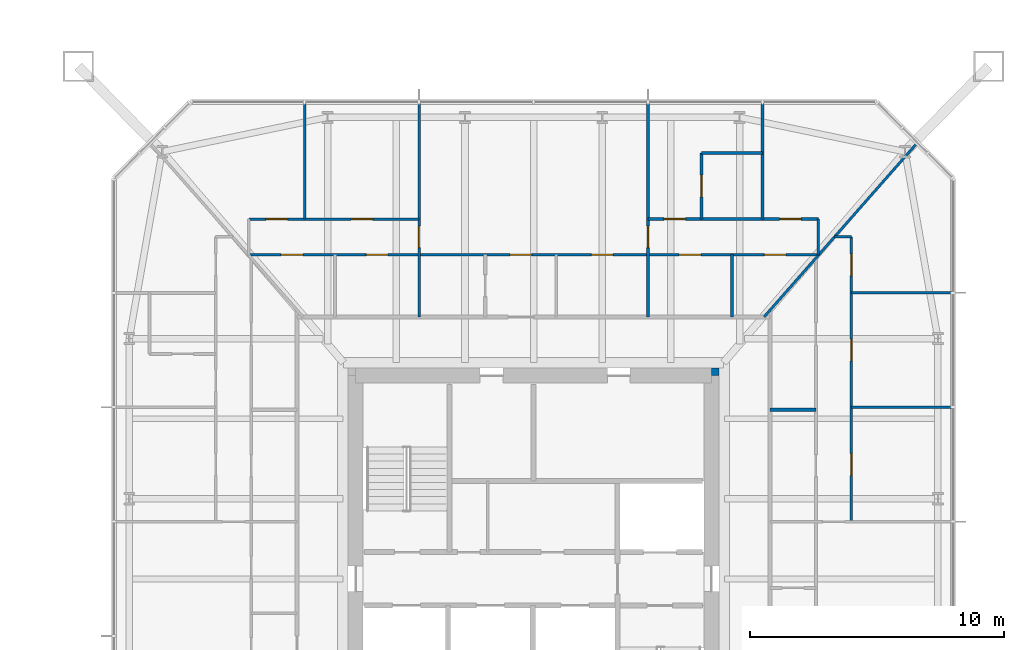
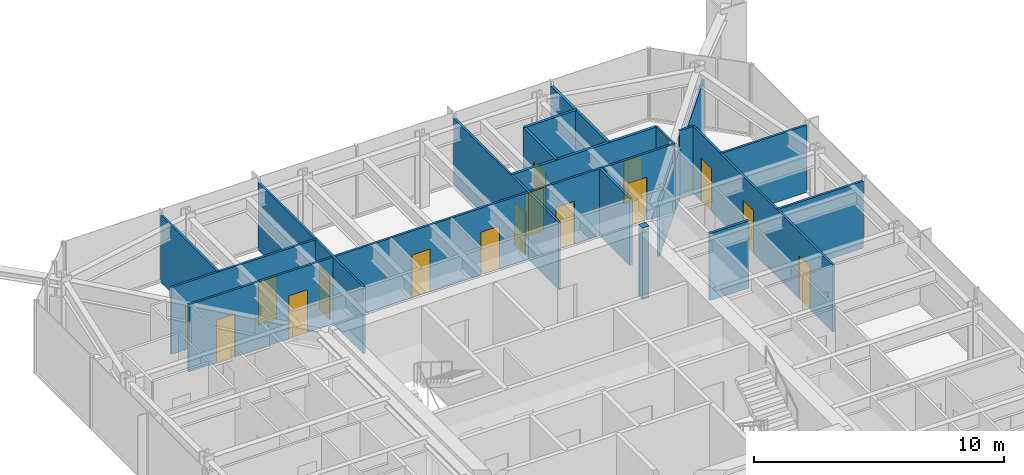
# One storey, part 21 of 26: 19 walls, 16 doors, 16 openings.
"""IFC4 building model written with IfcOpenShell, lengths in metres."""

from ifc_helpers import new_model, si_unit, direction, frame, frame_2d, origin, place, context, subcontext, project, spatial, rectangle, extrude, material, layer, layer_set, type_object, element, fill, save


model = new_model("IFC4")

# Units and contexts
model_context = context("Model", 3, precision=1e-05, world=origin(), true_north=direction((0.0, 1.0)))
body_context = subcontext(model_context, "Body", "Model", "MODEL_VIEW")
ifc_project = project(units=[si_unit("LENGTHUNIT", "METRE"), si_unit("AREAUNIT", "SQUARE_METRE"), si_unit("VOLUMEUNIT", "CUBIC_METRE"), si_unit("PLANEANGLEUNIT", "RADIAN"), si_unit("MASSUNIT", "GRAM", prefix="KILO")], contexts=[model_context])

# Site, building, storey
site_placement = place(None, origin())
site = spatial("IfcSite", under=ifc_project, at=site_placement, CompositionType="ELEMENT")
building_placement = place(site_placement, origin())
building = spatial("IfcBuilding", under=site, at=building_placement, Name="Iwan Alto Co-Living Towers", CompositionType="ELEMENT")
storey_placement = place(building_placement, frame((0.0, 0.0, 22.0)))
storey = spatial("IfcBuildingStorey", under=building, at=storey_placement, Name="L05", CompositionType="ELEMENT", Elevation=22.0)

# Walls
ifc_material_1 = material(Name="Gypsum board")
ifc_layer_1 = layer(ifc_material_1, 0.012451171875, Name="Board", Category="Finish")
ifc_material_2 = material(Name="Steel ASTM A1003 ST33H cold-formed studs", Category="steel")
ifc_layer_2 = layer(ifc_material_2, 0.074951171875, Name="Studs", Category="Framing")
ifc_layer_3 = layer(ifc_material_1, 0.012451171875, Name="Board", Category="Finish")
ifc_layer_set_1 = layer_set([ifc_layer_1, ifc_layer_2, ifc_layer_3], Name="PARTITION 100")
wall_type_1 = type_object("IfcWallType", Name="PARTITION 100", PredefinedType="PARTITIONING", material=ifc_layer_set_1)
for number, where, z_axis, x_axis, name in (
    (1, (75.5, 6.75, 0.0), (0.0, 0.0, 1.0), (1.0, 0.0, 0.0), "Partition L05"),
    (2, (75.5, 11.25, 0.0), (0.0, 0.0, 1.0), (1.0, 0.0, 0.0), "Partition L05"),
):
    element("IfcWall", number, at=place(storey_placement, frame(where, z_axis=z_axis, x_axis=x_axis)), inside=storey, type_object=wall_type_1, Name=name, PredefinedType="PARTITIONING", context=body_context, shape_type="SweptSolid", body=[
        extrude(rectangle(XDim=3.93994140625, YDim=0.10009765625, at=frame_2d((1.969970703125, 0.0))), origin(), (0.0, 0.0, 1.0), 3.27001953125),
    ])

# Wall, openings, doors
wall_1_placement = place(storey_placement, frame((51.800048828125, 12.75, 0.0), z_axis=(0.0, 0.0, 1.0), x_axis=(1.0, 0.0, 0.0)))
wall_1 = element("IfcWall", 3, at=wall_1_placement, inside=storey, type_object=wall_type_1, Name="Partition L05", PredefinedType="PARTITIONING", context=body_context, shape_type="SweptSolid", body=[
    extrude(rectangle(XDim=22.39990234375, YDim=0.10009765625, at=frame_2d((11.199951171875, 0.0))), origin(), (0.0, 0.0, 1.0), 3.27001953125),
])
opening_1_placement = place(wall_1_placement, frame((13.47509765625, 0.0, 0.0)))
opening_1 = element("IfcOpeningElement", 4, at=opening_1_placement, cuts=wall_1, Name="Opening D2", PredefinedType="OPENING", context=body_context, shape_type="SweptSolid", body=[
    extrude(rectangle(XDim=0.85009765625, YDim=2.10009765625, at=frame_2d((0.425048828125, 1.050048828125))), frame((0.0, 0.06005859375, 0.0), z_axis=(0.0, -1.0, 0.0), x_axis=(1.0, 0.0, 0.0)), (0.0, 0.0, 1.0), 0.1201171875),
])
opening_2_placement = place(wall_1_placement, frame((10.27490234375, 0.0, 0.0)))
opening_2 = element("IfcOpeningElement", 5, at=opening_2_placement, cuts=wall_1, Name="Opening D2", PredefinedType="OPENING", context=body_context, shape_type="SweptSolid", body=[
    extrude(rectangle(XDim=0.85009765625, YDim=2.10009765625, at=frame_2d((0.425048828125, 1.050048828125))), frame((0.0, 0.06005859375, 0.0), z_axis=(0.0, -1.0, 0.0), x_axis=(1.0, 0.0, 0.0)), (0.0, 0.0, 1.0), 0.1201171875),
])
opening_3_placement = place(wall_1_placement, frame((16.925048828125, 0.0, 0.0)))
opening_3 = element("IfcOpeningElement", 6, at=opening_3_placement, cuts=wall_1, Name="Opening D2", PredefinedType="OPENING", context=body_context, shape_type="SweptSolid", body=[
    extrude(rectangle(XDim=0.85009765625, YDim=2.10009765625, at=frame_2d((0.425048828125, 1.050048828125))), frame((0.0, 0.06005859375, 0.0), z_axis=(0.0, -1.0, 0.0), x_axis=(1.0, 0.0, 0.0)), (0.0, 0.0, 1.0), 0.1201171875),
])
opening_4_placement = place(wall_1_placement, frame((20.27490234375, 0.0, 0.0)))
opening_4 = element("IfcOpeningElement", 7, at=opening_4_placement, cuts=wall_1, Name="Opening D2", PredefinedType="OPENING", context=body_context, shape_type="SweptSolid", body=[
    extrude(rectangle(XDim=0.85009765625, YDim=2.10009765625, at=frame_2d((0.425048828125, 1.050048828125))), frame((0.0, 0.06005859375, 0.0), z_axis=(0.0, -1.0, 0.0), x_axis=(1.0, 0.0, 0.0)), (0.0, 0.0, 1.0), 0.1201171875),
])
opening_5_placement = place(wall_1_placement, frame((4.625, 0.0, 0.0)))
opening_5 = element("IfcOpeningElement", 8, at=opening_5_placement, cuts=wall_1, Name="Opening D2", PredefinedType="OPENING", context=body_context, shape_type="SweptSolid", body=[
    extrude(rectangle(XDim=0.85009765625, YDim=2.10009765625, at=frame_2d((0.425048828125, 1.050048828125))), frame((0.0, 0.06005859375, 0.0), z_axis=(0.0, -1.0, 0.0), x_axis=(1.0, 0.0, 0.0)), (0.0, 0.0, 1.0), 0.1201171875),
])
opening_6_placement = place(wall_1_placement, frame((1.27490234375, 0.0, 0.0)))
opening_6 = element("IfcOpeningElement", 9, at=opening_6_placement, cuts=wall_1, Name="Opening D2", PredefinedType="OPENING", context=body_context, shape_type="SweptSolid", body=[
    extrude(rectangle(XDim=0.85009765625, YDim=2.10009765625, at=frame_2d((0.425048828125, 1.050048828125))), frame((0.0, 0.06005859375, 0.0), z_axis=(0.0, -1.0, 0.0), x_axis=(1.0, 0.0, 0.0)), (0.0, 0.0, 1.0), 0.1201171875),
])
ifc_material_3 = material(Name="Timber leaf in steel frame", Category="steel")
door_type = type_object("IfcDoorType", Name="ROOM DOOR 850X2100", OperationType="SINGLE_SWING_LEFT", PredefinedType="DOOR", material=ifc_material_3)
door_1_placement = place(opening_1_placement, origin())
door_1 = element("IfcDoor", 10, at=door_1_placement, inside=storey, type_object=door_type, Name="Kitchen door L05", OperationType="SINGLE_SWING_RIGHT", OverallHeight=2.10009765625, OverallWidth=0.85009765625, PredefinedType="DOOR", context=body_context, shape_type="SweptSolid", body=[
    extrude(rectangle(XDim=0.85009765625, YDim=2.10009765625, at=frame_2d((0.425048828125, 1.050048828125))), frame((0.0, 0.02490234375, 0.0), z_axis=(0.0, -1.0, 0.0), x_axis=(1.0, 0.0, 0.0)), (0.0, 0.0, 1.0), 0.050048828125),
])
fill(opening_1, door_1)
door_2_placement = place(opening_2_placement, origin())
door_2 = element("IfcDoor", 11, at=door_2_placement, inside=storey, type_object=door_type, Name="Apartment foyer door L05", OperationType="SINGLE_SWING_LEFT", OverallHeight=2.10009765625, OverallWidth=0.85009765625, PredefinedType="DOOR", context=body_context, shape_type="SweptSolid", body=[
    extrude(rectangle(XDim=0.85009765625, YDim=2.10009765625, at=frame_2d((0.425048828125, 1.050048828125))), frame((0.0, 0.02490234375, 0.0), z_axis=(0.0, -1.0, 0.0), x_axis=(1.0, 0.0, 0.0)), (0.0, 0.0, 1.0), 0.050048828125),
])
fill(opening_2, door_2)
door_3_placement = place(opening_3_placement, frame((0.85009765625, 0.0, 0.0), z_axis=(0.0, 0.0, 1.0), x_axis=(-1.0, 0.0, 0.0)))
door_3 = element("IfcDoor", 12, at=door_3_placement, inside=storey, type_object=door_type, Name="Utility room door L05", OperationType="SINGLE_SWING_RIGHT", OverallHeight=2.10009765625, OverallWidth=0.85009765625, PredefinedType="DOOR", context=body_context, shape_type="SweptSolid", body=[
    extrude(rectangle(XDim=0.85009765625, YDim=2.10009765625, at=frame_2d((0.425048828125, 1.050048828125))), frame((0.0, 0.02490234375, 0.0), z_axis=(0.0, -1.0, 0.0), x_axis=(1.0, 0.0, 0.0)), (0.0, 0.0, 1.0), 0.050048828125),
])
fill(opening_3, door_3)
door_4_placement = place(opening_4_placement, frame((0.85009765625, 0.0, 0.0), z_axis=(0.0, 0.0, 1.0), x_axis=(-1.0, 0.0, 0.0)))
door_4 = element("IfcDoor", 13, at=door_4_placement, inside=storey, type_object=door_type, Name="Store room door L05", OperationType="SINGLE_SWING_LEFT", OverallHeight=2.10009765625, OverallWidth=0.85009765625, PredefinedType="DOOR", context=body_context, shape_type="SweptSolid", body=[
    extrude(rectangle(XDim=0.85009765625, YDim=2.10009765625, at=frame_2d((0.425048828125, 1.050048828125))), frame((0.0, 0.02490234375, 0.0), z_axis=(0.0, -1.0, 0.0), x_axis=(1.0, 0.0, 0.0)), (0.0, 0.0, 1.0), 0.050048828125),
])
fill(opening_4, door_4)
door_5_placement = place(opening_5_placement, frame((0.85009765625, 0.0, 0.0), z_axis=(0.0, 0.0, 1.0), x_axis=(-1.0, 0.0, 0.0)))
door_5 = element("IfcDoor", 14, at=door_5_placement, inside=storey, type_object=door_type, Name="Utility room door L05", OperationType="SINGLE_SWING_RIGHT", OverallHeight=2.10009765625, OverallWidth=0.85009765625, PredefinedType="DOOR", context=body_context, shape_type="SweptSolid", body=[
    extrude(rectangle(XDim=0.85009765625, YDim=2.10009765625, at=frame_2d((0.425048828125, 1.050048828125))), frame((0.0, 0.02490234375, 0.0), z_axis=(0.0, -1.0, 0.0), x_axis=(1.0, 0.0, 0.0)), (0.0, 0.0, 1.0), 0.050048828125),
])
fill(opening_5, door_5)
door_6_placement = place(opening_6_placement, frame((0.85009765625, 0.0, 0.0), z_axis=(0.0, 0.0, 1.0), x_axis=(-1.0, 0.0, 0.0)))
door_6 = element("IfcDoor", 15, at=door_6_placement, inside=storey, type_object=door_type, Name="Store room door L05", OperationType="SINGLE_SWING_RIGHT", OverallHeight=2.10009765625, OverallWidth=0.85009765625, PredefinedType="DOOR", context=body_context, shape_type="SweptSolid", body=[
    extrude(rectangle(XDim=0.85009765625, YDim=2.10009765625, at=frame_2d((0.425048828125, 1.050048828125))), frame((0.0, 0.02490234375, 0.0), z_axis=(0.0, -1.0, 0.0), x_axis=(1.0, 0.0, 0.0)), (0.0, 0.0, 1.0), 0.050048828125),
])
fill(opening_6, door_6)

# Wall
wall_2_placement = place(storey_placement, frame((74.8359375, 13.449951171875, 0.0), z_axis=(0.0, 0.0, 1.0), x_axis=(1.0, 0.0, 0.0)))
element("IfcWall", 16, at=wall_2_placement, inside=storey, type_object=wall_type_1, Name="Partition L05", PredefinedType="PARTITIONING", context=body_context, shape_type="SweptSolid", body=[
    extrude(rectangle(XDim=0.6640625, YDim=0.10009765625, at=frame_2d((0.33203125, 0.0))), origin(), (0.0, 0.0, 1.0), 3.27001953125),
])

# Wall, openings, doors
wall_3_placement = place(storey_placement, frame((51.800048828125, 14.14990234375, 0.0), z_axis=(0.0, 0.0, 1.0), x_axis=(1.0, 0.0, 0.0)))
wall_3 = element("IfcWall", 17, at=wall_3_placement, inside=storey, type_object=wall_type_1, Name="Partition L05", PredefinedType="PARTITIONING", context=body_context, shape_type="SweptSolid", body=[
    extrude(rectangle(XDim=6.699951171875, YDim=0.10009765625, at=frame_2d((3.35009765625, 0.0))), origin(), (0.0, 0.0, 1.0), 3.27001953125),
])
opening_7_placement = place(wall_3_placement, frame((4.02490234375, 0.0, 0.0)))
opening_7 = element("IfcOpeningElement", 18, at=opening_7_placement, cuts=wall_3, Name="Opening D2", PredefinedType="OPENING", context=body_context, shape_type="SweptSolid", body=[
    extrude(rectangle(XDim=0.85009765625, YDim=2.10009765625, at=frame_2d((0.425048828125, 1.050048828125))), frame((0.0, 0.06005859375, 0.0), z_axis=(0.0, -1.0, 0.0), x_axis=(1.0, 0.0, 0.0)), (0.0, 0.0, 1.0), 0.1201171875),
])
opening_8_placement = place(wall_3_placement, frame((0.675048828125, 0.0, 0.0)))
opening_8 = element("IfcOpeningElement", 19, at=opening_8_placement, cuts=wall_3, Name="Opening D2", PredefinedType="OPENING", context=body_context, shape_type="SweptSolid", body=[
    extrude(rectangle(XDim=0.85009765625, YDim=2.10009765625, at=frame_2d((0.425048828125, 1.050048828125))), frame((0.0, 0.06005859375, 0.0), z_axis=(0.0, -1.0, 0.0), x_axis=(1.0, 0.0, 0.0)), (0.0, 0.0, 1.0), 0.1201171875),
])
door_7_placement = place(opening_7_placement, origin())
door_7 = element("IfcDoor", 20, at=door_7_placement, inside=storey, type_object=door_type, Name="Study door L05", OperationType="SINGLE_SWING_LEFT", OverallHeight=2.10009765625, OverallWidth=0.85009765625, PredefinedType="DOOR", context=body_context, shape_type="SweptSolid", body=[
    extrude(rectangle(XDim=0.85009765625, YDim=2.10009765625, at=frame_2d((0.425048828125, 1.050048828125))), frame((0.0, 0.02490234375, 0.0), z_axis=(0.0, -1.0, 0.0), x_axis=(1.0, 0.0, 0.0)), (0.0, 0.0, 1.0), 0.050048828125),
])
fill(opening_7, door_7)
door_8_placement = place(opening_8_placement, origin())
door_8 = element("IfcDoor", 21, at=door_8_placement, inside=storey, type_object=door_type, Name="Bedroom door L05", OperationType="SINGLE_SWING_RIGHT", OverallHeight=2.10009765625, OverallWidth=0.85009765625, PredefinedType="DOOR", context=body_context, shape_type="SweptSolid", body=[
    extrude(rectangle(XDim=0.85009765625, YDim=2.10009765625, at=frame_2d((0.425048828125, 1.050048828125))), frame((0.0, 0.02490234375, 0.0), z_axis=(0.0, -1.0, 0.0), x_axis=(1.0, 0.0, 0.0)), (0.0, 0.0, 1.0), 0.050048828125),
])
fill(opening_8, door_8)

# Walls
wall_4_placement = place(storey_placement, frame((72.06396484375, 10.300048828125, 0.0), z_axis=(0.0, 0.0, 1.0), x_axis=(0.660667046586, 0.75067906162, 0.0)))
element("IfcWall", 22, at=wall_4_placement, inside=storey, type_object=wall_type_1, Name="Partition L05", PredefinedType="PARTITIONING", context=body_context, shape_type="SweptSolid", body=[
    extrude(rectangle(XDim=3.233154296875, YDim=0.10009765625, at=frame_2d((1.61669921875, 0.0))), origin(), (0.0, 0.0, 1.0), 2.42919921875),
])
wall_5_placement = place(storey_placement, frame((74.199951171875, 12.72705078125, 0.0), z_axis=(0.0, 0.0, 1.0), x_axis=(0.660698595885, 0.750651294141, 0.0)))
element("IfcWall", 23, at=wall_5_placement, inside=storey, type_object=wall_type_1, Name="Partition L05", PredefinedType="PARTITIONING", context=body_context, shape_type="SweptSolid", body=[
    extrude(rectangle(XDim=5.838134765625, YDim=0.10009765625, at=frame_2d((2.9189453125, 0.0))), origin(), (0.0, 0.0, 1.0), 2.42919921875),
])

# Wall, openings, doors
wall_6_placement = place(storey_placement, frame((75.5, 2.25, 0.0), z_axis=(0.0, 0.0, 1.0), x_axis=(0.0, 1.0, 0.0)))
wall_6 = element("IfcWall", 24, at=wall_6_placement, inside=storey, type_object=wall_type_1, Name="Partition L05", PredefinedType="PARTITIONING", context=body_context, shape_type="SweptSolid", body=[
    extrude(rectangle(XDim=11.199951171875, YDim=0.10009765625, at=frame_2d((5.60009765625, 0.0))), origin(), (0.0, 0.0, 1.0), 3.27001953125),
])
opening_9_placement = place(wall_6_placement, frame((1.824951171875, 0.0, 0.0)))
opening_9 = element("IfcOpeningElement", 25, at=opening_9_placement, cuts=wall_6, Name="Opening D2", PredefinedType="OPENING", context=body_context, shape_type="SweptSolid", body=[
    extrude(rectangle(XDim=0.85009765625, YDim=2.10009765625, at=frame_2d((0.425048828125, 1.050048828125))), frame((0.0, 0.06005859375, 0.0), z_axis=(0.0, -1.0, 0.0), x_axis=(1.0, 0.0, 0.0)), (0.0, 0.0, 1.0), 0.1201171875),
])
opening_10_placement = place(wall_6_placement, frame((6.324951171875, 0.0, 0.0)))
opening_10 = element("IfcOpeningElement", 26, at=opening_10_placement, cuts=wall_6, Name="Opening D2", PredefinedType="OPENING", context=body_context, shape_type="SweptSolid", body=[
    extrude(rectangle(XDim=0.85009765625, YDim=2.10009765625, at=frame_2d((0.425048828125, 1.050048828125))), frame((0.0, 0.06005859375, 0.0), z_axis=(0.0, -1.0, 0.0), x_axis=(1.0, 0.0, 0.0)), (0.0, 0.0, 1.0), 0.1201171875),
])
opening_11_placement = place(wall_6_placement, frame((9.675048828125, 0.0, 0.0)))
opening_11 = element("IfcOpeningElement", 27, at=opening_11_placement, cuts=wall_6, Name="Opening D2", PredefinedType="OPENING", context=body_context, shape_type="SweptSolid", body=[
    extrude(rectangle(XDim=0.85009765625, YDim=2.10009765625, at=frame_2d((0.425048828125, 1.050048828125))), frame((0.0, 0.06005859375, 0.0), z_axis=(0.0, -1.0, 0.0), x_axis=(1.0, 0.0, 0.0)), (0.0, 0.0, 1.0), 0.1201171875),
])
door_9_placement = place(opening_9_placement, frame((0.85009765625, 0.0, 0.0), z_axis=(0.0, 0.0, 1.0), x_axis=(-1.0, 0.0, 0.0)))
door_9 = element("IfcDoor", 28, at=door_9_placement, inside=storey, type_object=door_type, Name="Study door L05", OperationType="SINGLE_SWING_RIGHT", OverallHeight=2.10009765625, OverallWidth=0.85009765625, PredefinedType="DOOR", context=body_context, shape_type="SweptSolid", body=[
    extrude(rectangle(XDim=0.85009765625, YDim=2.10009765625, at=frame_2d((0.425048828125, 1.050048828125))), frame((0.0, 0.02490234375, 0.0), z_axis=(0.0, -1.0, 0.0), x_axis=(1.0, 0.0, 0.0)), (0.0, 0.0, 1.0), 0.050048828125),
])
fill(opening_9, door_9)
door_10_placement = place(opening_10_placement, frame((0.85009765625, 0.0, 0.0), z_axis=(0.0, 0.0, 1.0), x_axis=(-1.0, 0.0, 0.0)))
door_10 = element("IfcDoor", 29, at=door_10_placement, inside=storey, type_object=door_type, Name="Bedroom door L05", OperationType="SINGLE_SWING_RIGHT", OverallHeight=2.10009765625, OverallWidth=0.85009765625, PredefinedType="DOOR", context=body_context, shape_type="SweptSolid", body=[
    extrude(rectangle(XDim=0.85009765625, YDim=2.10009765625, at=frame_2d((0.425048828125, 1.050048828125))), frame((0.0, 0.02490234375, 0.0), z_axis=(0.0, -1.0, 0.0), x_axis=(1.0, 0.0, 0.0)), (0.0, 0.0, 1.0), 0.050048828125),
])
fill(opening_10, door_10)
door_11_placement = place(opening_11_placement, frame((0.85009765625, 0.0, 0.0), z_axis=(0.0, 0.0, 1.0), x_axis=(-1.0, 0.0, 0.0)))
door_11 = element("IfcDoor", 30, at=door_11_placement, inside=storey, type_object=door_type, Name="Bedroom door L05", OperationType="SINGLE_SWING_RIGHT", OverallHeight=2.10009765625, OverallWidth=0.85009765625, PredefinedType="DOOR", context=body_context, shape_type="SweptSolid", body=[
    extrude(rectangle(XDim=0.85009765625, YDim=2.10009765625, at=frame_2d((0.425048828125, 1.050048828125))), frame((0.0, 0.02490234375, 0.0), z_axis=(0.0, -1.0, 0.0), x_axis=(1.0, 0.0, 0.0)), (0.0, 0.0, 1.0), 0.050048828125),
])
fill(opening_11, door_11)

# Wall
wall_7_placement = place(storey_placement, frame((74.199951171875, 12.72705078125, 0.0), z_axis=(0.0, 0.0, 1.0), x_axis=(0.0, 1.0, 0.0)))
element("IfcWall", 31, at=wall_7_placement, inside=storey, type_object=wall_type_1, Name="Partition L05", PredefinedType="PARTITIONING", context=body_context, shape_type="SweptSolid", body=[
    extrude(rectangle(XDim=1.4228515625, YDim=0.10009765625, at=frame_2d((0.71142578125, 0.0))), origin(), (0.0, 0.0, 1.0), 3.27001953125),
])

# Wall, opening, door
wall_8_placement = place(storey_placement, frame((67.5, 10.300048828125, 0.0), z_axis=(0.0, 0.0, 1.0), x_axis=(0.0, 1.0, 0.0)))
wall_8 = element("IfcWall", 32, at=wall_8_placement, inside=storey, type_object=wall_type_1, Name="Partition L05", PredefinedType="PARTITIONING", context=body_context, shape_type="SweptSolid", body=[
    extrude(rectangle(XDim=8.389892578125, YDim=0.10009765625, at=frame_2d((4.19482421875, 0.0))), origin(), (0.0, 0.0, 1.0), 3.27001953125),
])
opening_12_placement = place(wall_8_placement, frame((2.72509765625, 0.0, 0.0)))
opening_12 = element("IfcOpeningElement", 33, at=opening_12_placement, cuts=wall_8, Name="Opening D2", PredefinedType="OPENING", context=body_context, shape_type="SweptSolid", body=[
    extrude(rectangle(XDim=0.85009765625, YDim=2.10009765625, at=frame_2d((0.425048828125, 1.050048828125))), frame((0.0, 0.06005859375, 0.0), z_axis=(0.0, -1.0, 0.0), x_axis=(1.0, 0.0, 0.0)), (0.0, 0.0, 1.0), 0.1201171875),
])
door_12_placement = place(opening_12_placement, origin())
door_12 = element("IfcDoor", 34, at=door_12_placement, inside=storey, type_object=door_type, Name="Apartment hall door L05", OperationType="SINGLE_SWING_LEFT", OverallHeight=2.10009765625, OverallWidth=0.85009765625, PredefinedType="DOOR", context=body_context, shape_type="SweptSolid", body=[
    extrude(rectangle(XDim=0.85009765625, YDim=2.10009765625, at=frame_2d((0.425048828125, 1.050048828125))), frame((0.0, 0.02490234375, 0.0), z_axis=(0.0, -1.0, 0.0), x_axis=(1.0, 0.0, 0.0)), (0.0, 0.0, 1.0), 0.050048828125),
])
fill(opening_12, door_12)

wall_9_placement = place(storey_placement, frame((58.5, 10.300048828125, 0.0), z_axis=(0.0, 0.0, 1.0), x_axis=(0.0, 1.0, 0.0)))
wall_9 = element("IfcWall", 35, at=wall_9_placement, inside=storey, type_object=wall_type_1, Name="Partition L05", PredefinedType="PARTITIONING", context=body_context, shape_type="SweptSolid", body=[
    extrude(rectangle(XDim=8.389892578125, YDim=0.10009765625, at=frame_2d((4.19482421875, 0.0))), origin(), (0.0, 0.0, 1.0), 3.27001953125),
])
opening_13_placement = place(wall_9_placement, frame((2.72509765625, 0.0, 0.0)))
opening_13 = element("IfcOpeningElement", 36, at=opening_13_placement, cuts=wall_9, Name="Opening D2", PredefinedType="OPENING", context=body_context, shape_type="SweptSolid", body=[
    extrude(rectangle(XDim=0.85009765625, YDim=2.10009765625, at=frame_2d((0.425048828125, 1.050048828125))), frame((0.0, 0.06005859375, 0.0), z_axis=(0.0, -1.0, 0.0), x_axis=(1.0, 0.0, 0.0)), (0.0, 0.0, 1.0), 0.1201171875),
])
door_13_placement = place(opening_13_placement, frame((0.85009765625, 0.0, 0.0), z_axis=(0.0, 0.0, 1.0), x_axis=(-1.0, 0.0, 0.0)))
door_13 = element("IfcDoor", 37, at=door_13_placement, inside=storey, type_object=door_type, Name="Apartment hall door L05", OperationType="SINGLE_SWING_RIGHT", OverallHeight=2.10009765625, OverallWidth=0.85009765625, PredefinedType="DOOR", context=body_context, shape_type="SweptSolid", body=[
    extrude(rectangle(XDim=0.85009765625, YDim=2.10009765625, at=frame_2d((0.425048828125, 1.050048828125))), frame((0.0, 0.02490234375, 0.0), z_axis=(0.0, -1.0, 0.0), x_axis=(1.0, 0.0, 0.0)), (0.0, 0.0, 1.0), 0.050048828125),
])
fill(opening_13, door_13)

# Walls
wall_10_placement = place(storey_placement, frame((54.0, 14.14990234375, 0.0), z_axis=(0.0, 0.0, 1.0), x_axis=(0.0, 1.0, 0.0)))
element("IfcWall", 38, at=wall_10_placement, inside=storey, type_object=wall_type_1, Name="Partition L05", PredefinedType="PARTITIONING", context=body_context, shape_type="SweptSolid", body=[
    extrude(rectangle(XDim=4.5400390625, YDim=0.10009765625, at=frame_2d((2.27001953125, 0.0))), origin(), (0.0, 0.0, 1.0), 3.27001953125),
])
ifc_material_4 = material(Name="Concrete f'c 70 MPa", Category="concrete")
ifc_layer_4 = layer(ifc_material_4, 0.300048828125)
ifc_layer_set_2 = layer_set([ifc_layer_4], Name="T2 CORE CORNER FILL 300")
wall_type_2 = type_object("IfcWallType", Name="T2 CORE CORNER FILL 300", PredefinedType="SOLIDWALL", material=ifc_layer_set_2)
wall_11_placement = place(storey_placement, frame((70.0, 8.14990234375, 0.0), z_axis=(0.0, 0.0, 1.0), x_axis=(1.0, 0.0, 0.0)))
element("IfcWall", 39, at=wall_11_placement, inside=storey, type_object=wall_type_2, Name="T2 core corner NE L05", PredefinedType="SOLIDWALL", context=body_context, shape_type="SweptSolid", body=[
    extrude(rectangle(XDim=0.300048828125, YDim=0.300048828125, at=frame_2d((0.14990234375, 0.0))), origin(), (0.0, 0.0, 1.0), 3.5),
])
ifc_material_5 = material(Name="Cement board")
ifc_layer_5 = layer(ifc_material_5, 0.012451171875, Name="Board", Category="Finish")
ifc_layer_6 = layer(ifc_material_2, 0.094970703125, Name="Studs", Category="Framing")
ifc_layer_7 = layer(ifc_material_5, 0.012451171875, Name="Board", Category="Finish")
ifc_layer_set_3 = layer_set([ifc_layer_5, ifc_layer_6, ifc_layer_7], Name="WET AREA PARTITION 120")
wall_type_3 = type_object("IfcWallType", Name="WET AREA PARTITION 120", PredefinedType="PARTITIONING", material=ifc_layer_set_3)
wall_12_placement = place(storey_placement, frame((72.300048828125, 6.64990234375, 0.0), z_axis=(0.0, 0.0, 1.0), x_axis=(1.0, 0.0, 0.0)))
element("IfcWall", 40, at=wall_12_placement, inside=storey, type_object=wall_type_3, Name="Partition L05", PredefinedType="PARTITIONING", context=body_context, shape_type="SweptSolid", body=[
    extrude(rectangle(XDim=1.800048828125, YDim=0.1201171875, at=frame_2d((0.89990234375, 0.0))), origin(), (0.0, 0.0, 1.0), 3.27001953125),
])

# Wall, openings, doors
wall_13_placement = place(storey_placement, frame((67.5, 14.14990234375, 0.0), z_axis=(0.0, 0.0, 1.0), x_axis=(1.0, 0.0, 0.0)))
wall_13 = element("IfcWall", 41, at=wall_13_placement, inside=storey, type_object=wall_type_3, Name="Partition L05", PredefinedType="PARTITIONING", context=body_context, shape_type="SweptSolid", body=[
    extrude(rectangle(XDim=6.699951171875, YDim=0.1201171875, at=frame_2d((3.35009765625, 0.0))), origin(), (0.0, 0.0, 1.0), 3.27001953125),
])
opening_14_placement = place(wall_13_placement, frame((0.625, 0.0, 0.0)))
opening_14 = element("IfcOpeningElement", 42, at=opening_14_placement, cuts=wall_13, Name="Opening D2", PredefinedType="OPENING", context=body_context, shape_type="SweptSolid", body=[
    extrude(rectangle(XDim=0.85009765625, YDim=2.10009765625, at=frame_2d((0.425048828125, 1.050048828125))), frame((0.0, 0.070068359375, 0.0), z_axis=(0.0, -1.0, 0.0), x_axis=(1.0, 0.0, 0.0)), (0.0, 0.0, 1.0), 0.14013671875),
])
opening_15_placement = place(wall_13_placement, frame((5.175048828125, 0.0, 0.0)))
opening_15 = element("IfcOpeningElement", 43, at=opening_15_placement, cuts=wall_13, Name="Opening D2", PredefinedType="OPENING", context=body_context, shape_type="SweptSolid", body=[
    extrude(rectangle(XDim=0.85009765625, YDim=2.10009765625, at=frame_2d((0.425048828125, 1.050048828125))), frame((0.0, 0.070068359375, 0.0), z_axis=(0.0, -1.0, 0.0), x_axis=(1.0, 0.0, 0.0)), (0.0, 0.0, 1.0), 0.14013671875),
])
door_14_placement = place(opening_14_placement, origin())
door_14 = element("IfcDoor", 44, at=door_14_placement, inside=storey, type_object=door_type, Name="Bedroom door L05", OperationType="SINGLE_SWING_LEFT", OverallHeight=2.10009765625, OverallWidth=0.85009765625, PredefinedType="DOOR", context=body_context, shape_type="SweptSolid", body=[
    extrude(rectangle(XDim=0.85009765625, YDim=2.10009765625, at=frame_2d((0.425048828125, 1.050048828125))), frame((0.0, 0.02490234375, 0.0), z_axis=(0.0, -1.0, 0.0), x_axis=(1.0, 0.0, 0.0)), (0.0, 0.0, 1.0), 0.050048828125),
])
fill(opening_14, door_14)
door_15_placement = place(opening_15_placement, origin())
door_15 = element("IfcDoor", 45, at=door_15_placement, inside=storey, type_object=door_type, Name="Bedroom door L05", OperationType="SINGLE_SWING_LEFT", OverallHeight=2.10009765625, OverallWidth=0.85009765625, PredefinedType="DOOR", context=body_context, shape_type="SweptSolid", body=[
    extrude(rectangle(XDim=0.85009765625, YDim=2.10009765625, at=frame_2d((0.425048828125, 1.050048828125))), frame((0.0, 0.02490234375, 0.0), z_axis=(0.0, -1.0, 0.0), x_axis=(1.0, 0.0, 0.0)), (0.0, 0.0, 1.0), 0.050048828125),
])
fill(opening_15, door_15)

# Walls
wall_14_placement = place(storey_placement, frame((69.60009765625, 16.75, 0.0), z_axis=(0.0, 0.0, 1.0), x_axis=(1.0, 0.0, 0.0)))
element("IfcWall", 46, at=wall_14_placement, inside=storey, type_object=wall_type_3, Name="Partition L05", PredefinedType="PARTITIONING", context=body_context, shape_type="SweptSolid", body=[
    extrude(rectangle(XDim=2.39990234375, YDim=0.1201171875, at=frame_2d((1.199951171875, 0.0))), origin(), (0.0, 0.0, 1.0), 3.27001953125),
])
wall_15_placement = place(storey_placement, frame((72.0, 14.14990234375, 0.0), z_axis=(0.0, 0.0, 1.0), x_axis=(0.0, 1.0, 0.0)))
element("IfcWall", 47, at=wall_15_placement, inside=storey, type_object=wall_type_3, Name="Partition L05", PredefinedType="PARTITIONING", context=body_context, shape_type="SweptSolid", body=[
    extrude(rectangle(XDim=4.5400390625, YDim=0.1201171875, at=frame_2d((2.27001953125, 0.0))), origin(), (0.0, 0.0, 1.0), 3.27001953125),
])
wall_16_placement = place(storey_placement, frame((70.800048828125, 10.300048828125, 0.0), z_axis=(0.0, 0.0, 1.0), x_axis=(0.0, 1.0, 0.0)))
element("IfcWall", 48, at=wall_16_placement, inside=storey, type_object=wall_type_3, Name="Partition L05", PredefinedType="PARTITIONING", context=body_context, shape_type="SweptSolid", body=[
    extrude(rectangle(XDim=2.449951171875, YDim=0.1201171875, at=frame_2d((1.22509765625, 0.0))), origin(), (0.0, 0.0, 1.0), 3.27001953125),
])

# Wall, opening, door
wall_17_placement = place(storey_placement, frame((69.60009765625, 14.14990234375, 0.0), z_axis=(0.0, 0.0, 1.0), x_axis=(0.0, 1.0, 0.0)))
wall_17 = element("IfcWall", 49, at=wall_17_placement, inside=storey, type_object=wall_type_3, Name="Partition L05", PredefinedType="PARTITIONING", context=body_context, shape_type="SweptSolid", body=[
    extrude(rectangle(XDim=2.60009765625, YDim=0.1201171875, at=frame_2d((1.300048828125, 0.0))), origin(), (0.0, 0.0, 1.0), 3.27001953125),
])
opening_16_placement = place(wall_17_placement, frame((0.875, 0.0, 0.0)))
opening_16 = element("IfcOpeningElement", 50, at=opening_16_placement, cuts=wall_17, Name="Opening D2", PredefinedType="OPENING", context=body_context, shape_type="SweptSolid", body=[
    extrude(rectangle(XDim=0.85009765625, YDim=2.10009765625, at=frame_2d((0.425048828125, 1.050048828125))), frame((0.0, 0.070068359375, 0.0), z_axis=(0.0, -1.0, 0.0), x_axis=(1.0, 0.0, 0.0)), (0.0, 0.0, 1.0), 0.14013671875),
])
door_16_placement = place(opening_16_placement, origin())
door_16 = element("IfcDoor", 51, at=door_16_placement, inside=storey, type_object=door_type, Name="En-suite shower room door L05", OperationType="SINGLE_SWING_LEFT", OverallHeight=2.10009765625, OverallWidth=0.85009765625, PredefinedType="DOOR", context=body_context, shape_type="SweptSolid", body=[
    extrude(rectangle(XDim=0.85009765625, YDim=2.10009765625, at=frame_2d((0.425048828125, 1.050048828125))), frame((0.0, 0.02490234375, 0.0), z_axis=(0.0, -1.0, 0.0), x_axis=(1.0, 0.0, 0.0)), (0.0, 0.0, 1.0), 0.050048828125),
])
fill(opening_16, door_16)

save(model, "model.ifc")
